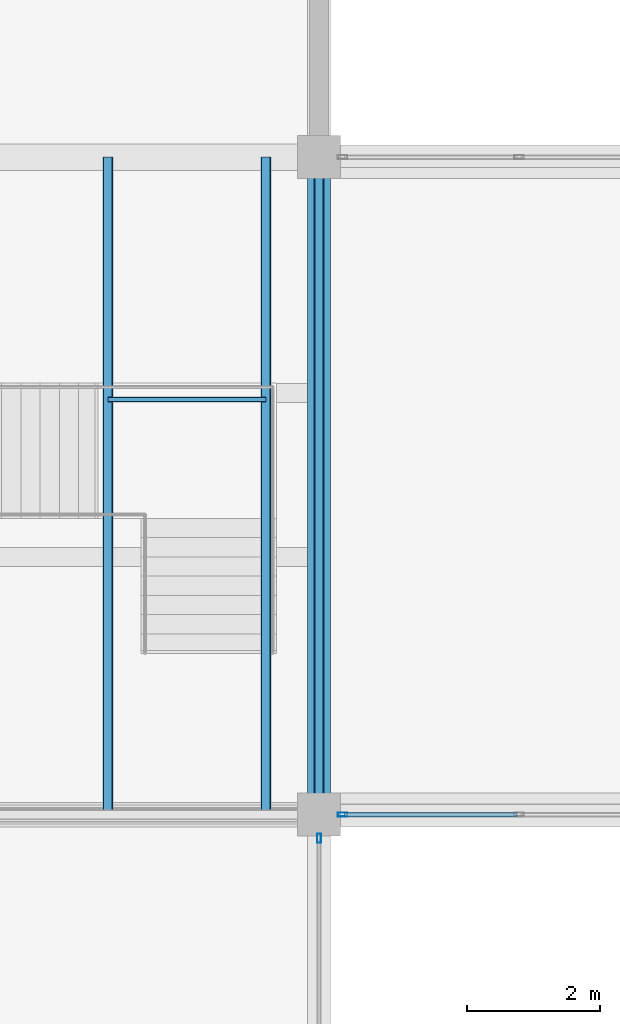
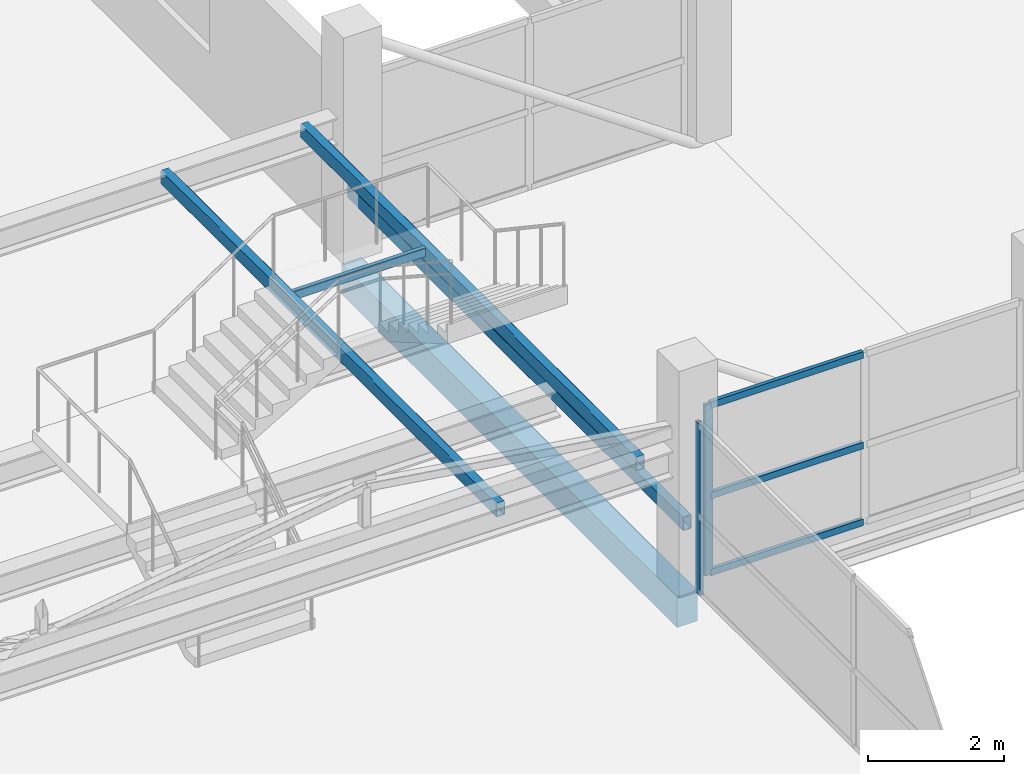
# One storey, part 33 of 70: 5 beams, 5 members, 2 elements without a shape of their own.
"""IFC4 building model written with IfcOpenShell, lengths in metres."""

from ifc_helpers import new_model, si_unit, direction, frame, origin, origin_2d, place, context, subcontext, project, spatial, rectangle, hollow_rectangle, extrude, material, layer, layer_set, material_profile, profile_set, type_object, element, aggregate, save


model = new_model("IFC4")

# Units and contexts
model_context = context("Model", 3, precision=1e-05, world=origin(), true_north=direction((0.0, 1.0)))
body_context = subcontext(model_context, "Body", "Model", "MODEL_VIEW")
ifc_project = project(units=[si_unit("LENGTHUNIT", "METRE"), si_unit("AREAUNIT", "SQUARE_METRE"), si_unit("VOLUMEUNIT", "CUBIC_METRE"), si_unit("PLANEANGLEUNIT", "RADIAN"), si_unit("MASSUNIT", "GRAM", prefix="KILO")], contexts=[model_context])

# Site, building, storey
site_placement = place(None, origin())
site = spatial("IfcSite", under=ifc_project, at=site_placement, CompositionType="ELEMENT")
building_placement = place(site_placement, origin())
building = spatial("IfcBuilding", under=site, at=building_placement, Name="Sillaruma Civic Art Gallery", CompositionType="ELEMENT")
storey_placement = place(building_placement, frame((0.0, 0.0, 66.300048828125)))
storey = spatial("IfcBuildingStorey", under=building, at=storey_placement, Name="L13", CompositionType="ELEMENT", Elevation=66.300048828125)

# Beams
ifc_material_1 = material(Name="Structural Steel ASTM A500 Gr.C", Category="steel")
ifc_material_profile_1 = material_profile(ifc_material_1, hollow_rectangle(XDim=0.080078125, YDim=0.159912109375, WallThickness=0.008056640625, InnerFilletRadius=0.008056640625, OuterFilletRadius=0.01611328125, at=origin_2d()), Name="HSS160x80x8")
ifc_profile_set_1 = profile_set([ifc_material_profile_1], Name="Structural Steel ASTM A500 Gr.C")
beam_type_1 = type_object("IfcBeamType", Name="BM-FS-HSS160", PredefinedType="BEAM", material=ifc_profile_set_1)
beam_1_placement = place(storey_placement, frame((88.820068359375, 75.550048828125, 2.454833984375), z_axis=(1.0, 0.0, 0.0), x_axis=(0.0, 1.0, 0.0)))
element("IfcBeam", 1, at=beam_1_placement, inside=storey, type_object=beam_type_1, Name="Feature Stair L2 Spreader (ST-G08)", PredefinedType="BEAM", context=body_context, shape_type="SweptSolid", body=[
    extrude(hollow_rectangle(XDim=0.080078125, YDim=0.159912109375, WallThickness=0.008056640625, InnerFilletRadius=0.008056640625, OuterFilletRadius=0.01611328125, at=origin_2d()), origin(), (0.0, 0.0, 1.0), 2.3798828125),
])
ifc_material_profile_2 = material_profile(ifc_material_1, hollow_rectangle(XDim=0.14990234375, YDim=0.25, WallThickness=0.010009765625, InnerFilletRadius=0.010009765625, OuterFilletRadius=0.02001953125, at=origin_2d()), Name="HSS250x150x10")
ifc_profile_set_2 = profile_set([ifc_material_profile_2], Name="Structural Steel ASTM A500 Gr.C")
beam_type_2 = type_object("IfcBeamType", Name="BM-LND-HSS200", PredefinedType="BEAM", material=ifc_profile_set_2)
for number, where, z_axis, x_axis, name in (
    (2, (92.0, 69.300048828125, 1.050048828125), (0.0, 1.0, 0.0), (-1.0, 0.0, 0.0), "Feature Stair L1 Rail (ST-G08-E)"),
    (3, (88.820068359375, 69.300048828125, 2.409912109375), (0.0, 1.0, 0.0), (-1.0, 0.0, 0.0), "Feature Stair L2 Girder (ST-G08-1)"),
    (4, (91.199951171875, 69.300048828125, 2.409912109375), (0.0, 1.0, 0.0), (-1.0, 0.0, 0.0), "Feature Stair L2 Girder (ST-G08-2)"),
):
    element("IfcBeam", number, at=place(storey_placement, frame(where, z_axis=z_axis, x_axis=x_axis)), inside=storey, type_object=beam_type_2, Name=name, PredefinedType="BEAM", context=body_context, shape_type="SweptSolid", body=[
        extrude(hollow_rectangle(XDim=0.14990234375, YDim=0.25, WallThickness=0.010009765625, InnerFilletRadius=0.010009765625, OuterFilletRadius=0.02001953125, at=origin_2d()), origin(), (0.0, 0.0, 1.0), 9.89990234375),
    ])
ifc_material_2 = material(Name="Concrete H35 (35 MPa)", Category="concrete")
ifc_material_profile_3 = material_profile(ifc_material_2, rectangle(XDim=0.35009765625, YDim=0.550048828125, at=origin_2d()), Name="RCB350x550")
ifc_profile_set_3 = profile_set([ifc_material_profile_3], Name="Concrete H35 (35 MPa)")
beam_type_3 = type_object("IfcBeamType", Name="BM-SPANDREL-RCB350x550", PredefinedType="SPANDREL", material=ifc_profile_set_3)
beam_2_placement = place(storey_placement, frame((92.0, 69.300048828125, -0.505126953125), z_axis=(0.0, 1.0, 0.0), x_axis=(-1.0, 0.0, 0.0)))
element("IfcBeam", 5, at=beam_2_placement, inside=storey, type_object=beam_type_3, Name="Beam BS-04 (L12:K:8-9)", PredefinedType="SPANDREL", context=body_context, shape_type="SweptSolid", body=[
    extrude(rectangle(XDim=0.35009765625, YDim=0.550048828125, at=origin_2d()), origin(), (0.0, 0.0, 1.0), 9.89990234375),
])

# Curtain wall, member
ifc_material_3 = material(Name="Thermally Broken Extruded Aluminium 6063-T6", Category="aluminium")
ifc_layer_1 = layer(ifc_material_3, 0.139892578125, Name="Thermally Broken Extruded Aluminium 6063-T6")
ifc_layer_set_1 = layer_set([ifc_layer_1], Name="Thermally Broken Extruded Aluminium 6063-T6")
curtain_wall_type_1 = type_object("IfcCurtainWallType", Name="CW-UNI-105", PredefinedType="NOTDEFINED", material=ifc_layer_set_1)
curtain_wall_1_placement = place(storey_placement, origin())
curtain_wall_1 = element("IfcCurtainWall", 6, at=curtain_wall_1_placement, inside=storey, type_object=curtain_wall_type_1, Name="Unitised Curtain Wall CW-105 (CW-L13-WBE-5)", PredefinedType="NOTDEFINED")
ifc_material_profile_4 = material_profile(ifc_material_3, hollow_rectangle(XDim=0.06005859375, YDim=0.139892578125, WallThickness=0.00341796875, at=origin_2d()), Name="CWM60x140")
ifc_profile_set_4 = profile_set([ifc_material_profile_4], Name="Thermally Broken Extruded Aluminium 6063-T6")
member_type_1 = type_object("IfcMemberType", Name="MEM-MUL-CWM60x140", PredefinedType="MULLION", material=ifc_profile_set_4)
member_1_placement = place(storey_placement, frame((92.0, 68.945068359375, 0.0), z_axis=(0.0, 0.0, 1.0), x_axis=(-1.0, 0.0, 0.0)))
member_1 = element("IfcMember", 7, at=member_1_placement, type_object=member_type_1, Name="CW-105 mullion 3", PredefinedType="MULLION", context=body_context, shape_type="SweptSolid", body=[
    extrude(hollow_rectangle(XDim=0.06005859375, YDim=0.139892578125, WallThickness=0.00341796875, at=origin_2d()), origin(), (0.0, 0.0, 1.0), 3.079833984375),
])
aggregate(curtain_wall_1, [member_1])

# Curtain wall, members
ifc_layer_2 = layer(ifc_material_3, 0.139892578125, Name="Thermally Broken Extruded Aluminium 6063-T6")
ifc_layer_set_2 = layer_set([ifc_layer_2], Name="Thermally Broken Extruded Aluminium 6063-T6")
curtain_wall_type_2 = type_object("IfcCurtainWallType", Name="CW-UNI-108", PredefinedType="NOTDEFINED", material=ifc_layer_set_2)
curtain_wall_2_placement = place(storey_placement, origin())
curtain_wall_2 = element("IfcCurtainWall", 8, at=curtain_wall_2_placement, inside=storey, type_object=curtain_wall_type_2, Name="Unitised Curtain Wall CW-108 (CW-BRG-N-L13-S)", PredefinedType="NOTDEFINED")
member_2_placement = place(storey_placement, frame((92.35498046875, 69.300048828125, 0.0), z_axis=(0.0, 0.0, 1.0), x_axis=(0.0, 1.0, 0.0)))
member_2 = element("IfcMember", 9, at=member_2_placement, type_object=member_type_1, Name="CW-108 mullion 1", PredefinedType="MULLION", context=body_context, shape_type="SweptSolid", body=[
    extrude(hollow_rectangle(XDim=0.06005859375, YDim=0.139892578125, WallThickness=0.00341796875, at=origin_2d()), origin(), (0.0, 0.0, 1.0), 3.079833984375),
])
ifc_material_profile_5 = material_profile(ifc_material_3, hollow_rectangle(XDim=0.06494140625, YDim=0.1201171875, WallThickness=0.00341796875, at=origin_2d()), Name="CWT65x120")
ifc_profile_set_5 = profile_set([ifc_material_profile_5], Name="Thermally Broken Extruded Aluminium 6063-T6")
member_type_2 = type_object("IfcMemberType", Name="MEM-TRN-CWT65x120", PredefinedType="USERDEFINED", material=ifc_profile_set_5)
member_3_placement = place(storey_placement, frame((92.385009765625, 69.300048828125, 0.032470703125), z_axis=(1.0, 0.0, 0.0), x_axis=(0.0, 1.0, 0.0)))
member_3 = element("IfcMember", 10, at=member_3_placement, type_object=member_type_2, Name="CW-108 transom 1.1", ObjectType="TRANSOM", PredefinedType="USERDEFINED", context=body_context, shape_type="SweptSolid", body=[
    extrude(hollow_rectangle(XDim=0.06494140625, YDim=0.1201171875, WallThickness=0.00341796875, at=origin_2d()), origin(), (0.0, 0.0, 1.0), 2.597412109375),
])
member_4_placement = place(storey_placement, frame((92.385009765625, 69.300048828125, 1.416748046875), z_axis=(1.0, 0.0, 0.0), x_axis=(0.0, 1.0, 0.0)))
member_4 = element("IfcMember", 11, at=member_4_placement, type_object=member_type_2, Name="CW-108 transom 1.2", ObjectType="TRANSOM", PredefinedType="USERDEFINED", context=body_context, shape_type="SweptSolid", body=[
    extrude(hollow_rectangle(XDim=0.06494140625, YDim=0.1201171875, WallThickness=0.00341796875, at=origin_2d()), origin(), (0.0, 0.0, 1.0), 2.597412109375),
])
member_5_placement = place(storey_placement, frame((92.385009765625, 69.300048828125, 3.04736328125), z_axis=(1.0, 0.0, 0.0), x_axis=(0.0, 1.0, 0.0)))
member_5 = element("IfcMember", 12, at=member_5_placement, type_object=member_type_2, Name="CW-108 transom 1.3", ObjectType="TRANSOM", PredefinedType="USERDEFINED", context=body_context, shape_type="SweptSolid", body=[
    extrude(hollow_rectangle(XDim=0.06494140625, YDim=0.1201171875, WallThickness=0.00341796875, at=origin_2d()), origin(), (0.0, 0.0, 1.0), 2.597412109375),
])
aggregate(curtain_wall_2, [member_2, member_3, member_4, member_5])

save(model, "model.ifc")
